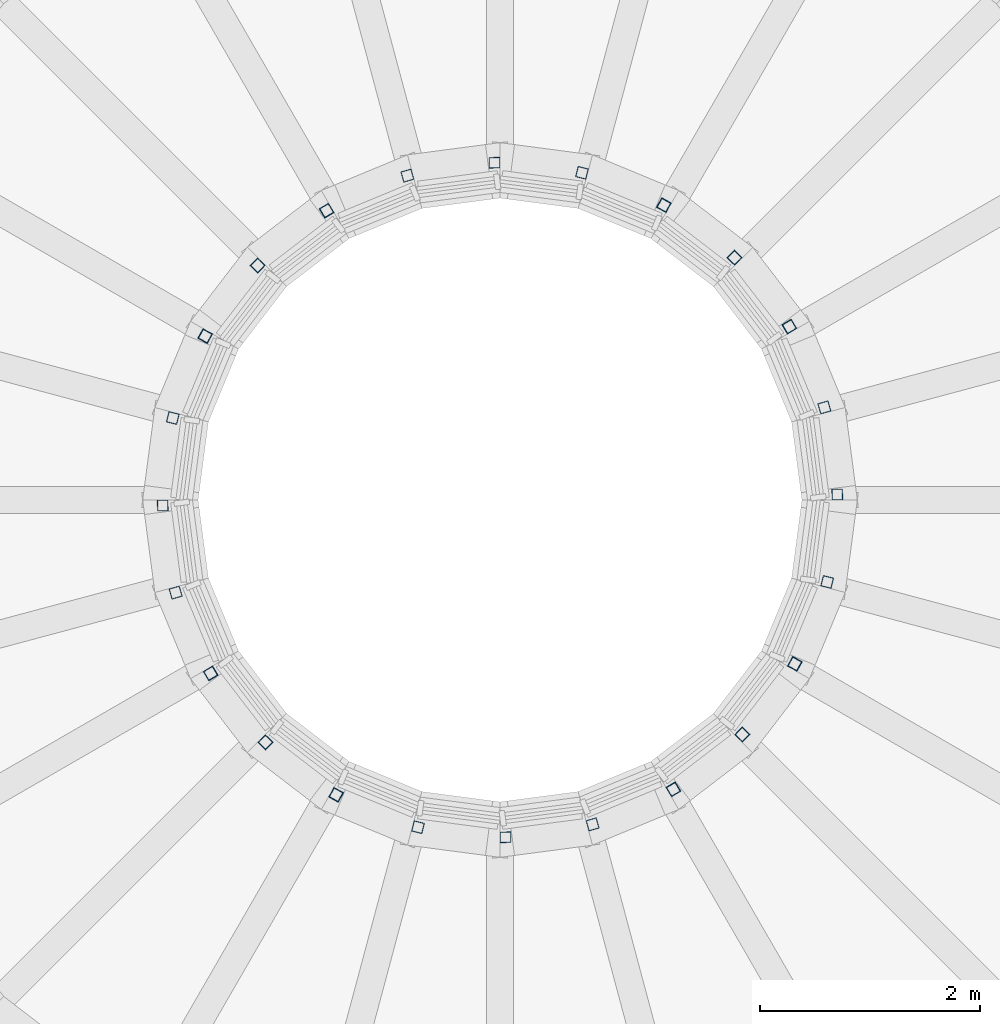
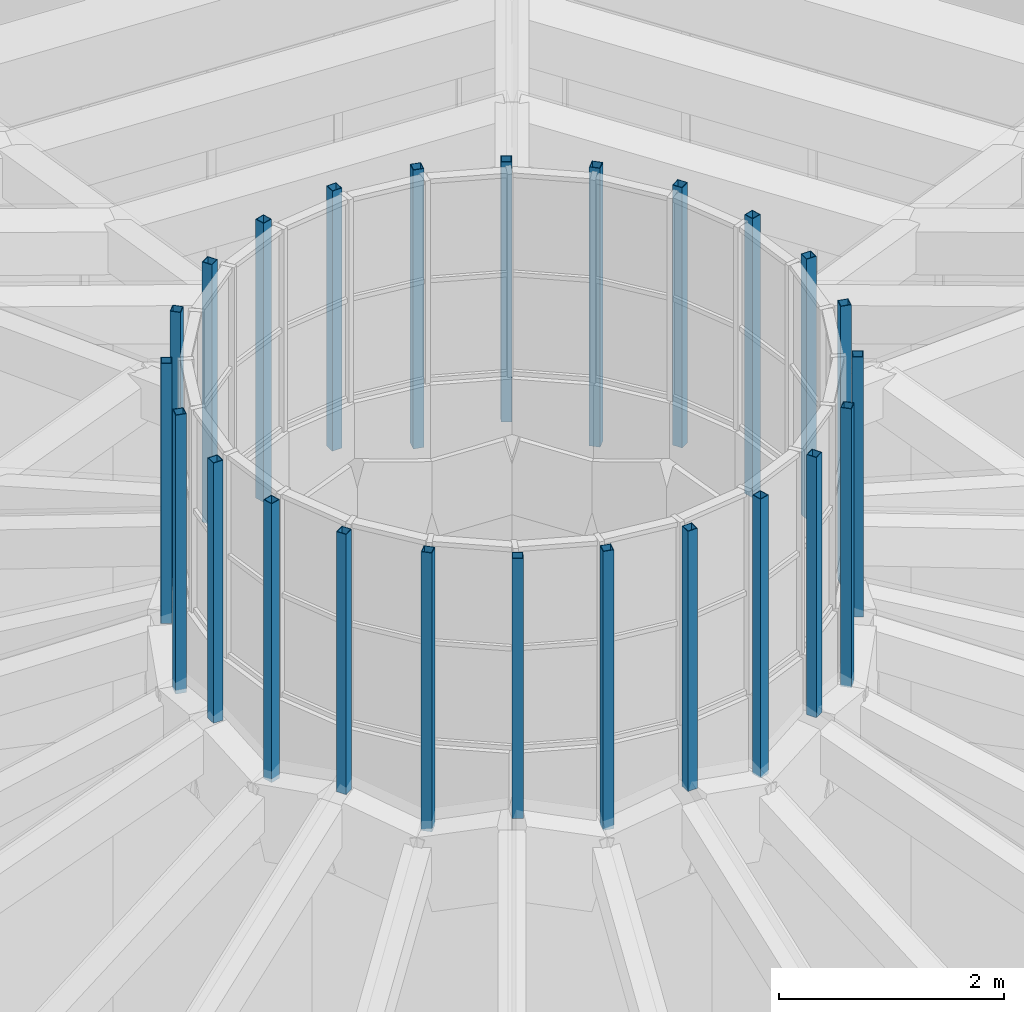
# One storey, part 2 of 82: 24 columns.
"""IFC4 building model written with IfcOpenShell, lengths in metres."""

import ifcopenshell
import ifcopenshell.guid

model = None  # the IFC model being written
_history = None  # IfcOwnerHistory: only IFC2X3 demands one
_inside = {}  # id of a spatial element -> (the spatial element, [elements in it])
_under = {}  # id of a project, library or spatial element -> (it, [spatial elements below it])
_declared = {}  # id of a project -> (the project, [libraries it declares])
_typed = {}  # id of a type object -> (the type object, [elements of that type])
_made_of = {}  # id of a material, layer set ... -> (it, [elements and type objects made of it])


def new_model(schema):
    """Start an empty IFC model of exactly this schema.

    Asked for "IFC4X3", IfcOpenShell would pick the latest addendum, in which some entities
    have other attributes; the version numbers below select the first issue.
    IFC2X3 requires an IfcOwnerHistory on every rooted entity: one is made here for all.
    """
    global model, _history
    if schema == "IFC4X3":
        model = ifcopenshell.file(schema_version=(4, 3, 0, 0))
    else:
        model = ifcopenshell.file(schema=schema)
    _inside.clear()
    _under.clear()
    _declared.clear()
    _typed.clear()
    _made_of.clear()
    _history = None
    if model.schema == "IFC2X3":
        org = make("IfcOrganization", Name="unknown")
        user = make(
            "IfcPersonAndOrganization",
            ThePerson=make("IfcPerson", FamilyName="unknown"),
            TheOrganization=org,
        )
        app = make(
            "IfcApplication",
            ApplicationDeveloper=org,
            Version="unknown",
            ApplicationFullName="unknown",
            ApplicationIdentifier="unknown",
        )
        _history = make(
            "IfcOwnerHistory",
            OwningUser=user,
            OwningApplication=app,
            ChangeAction="ADDED",
            CreationDate=0,
        )
    return model


def make(cls, **values):
    """One entity of the class cls with the attributes given. An attribute that is None is left unset."""
    return model.create_entity(
        cls, **{name: value for name, value in values.items() if value is not None}
    )


def rooted(cls, **values):
    """An entity with a GlobalId (a new one), such as an element, a storey or a relation."""
    return make(cls, GlobalId=ifcopenshell.guid.new(), OwnerHistory=_history, **values)


def si_unit(unit_type, name, prefix=None):
    """IfcSIUnit, for example si_unit("LENGTHUNIT", "METRE", prefix="MILLI")."""
    return make("IfcSIUnit", UnitType=unit_type, Prefix=prefix, Name=name)


def assignment(units):
    """IfcUnitAssignment: the units of a project."""
    return None if units is None else make("IfcUnitAssignment", Units=units)


def point(xyz):
    """IfcCartesianPoint."""
    return None if xyz is None else make("IfcCartesianPoint", Coordinates=xyz)


def direction(xyz):
    """IfcDirection."""
    return None if xyz is None else make("IfcDirection", DirectionRatios=xyz)


def frame(location, z_axis=None, x_axis=None):
    """IfcAxis2Placement3D, a coordinate frame: its origin and axes. An axis left out is left unset."""
    return make(
        "IfcAxis2Placement3D",
        Location=point(location),
        Axis=direction(z_axis),
        RefDirection=direction(x_axis),
    )


def frame_2d(location, x_axis=None):
    """IfcAxis2Placement2D, a coordinate frame in the plane: its origin and x axis."""
    return make(
        "IfcAxis2Placement2D", Location=point(location), RefDirection=direction(x_axis)
    )


def origin():
    """The frame at (0, 0, 0) with its axes left unset."""
    return frame((0.0, 0.0, 0.0))


def origin_2d():
    """The frame at (0, 0) in the plane with its x axis left unset."""
    return frame_2d((0.0, 0.0))


def place(relative_to, where):
    """IfcLocalPlacement: puts the frame where relative to a parent placement (None: the world)."""
    return make(
        "IfcLocalPlacement", PlacementRelTo=relative_to, RelativePlacement=where
    )


def context(
    kind, dimensions, precision=None, world=None, true_north=None, identifier=None
):
    """IfcGeometricRepresentationContext, for example the 3D "Model" context."""
    return make(
        "IfcGeometricRepresentationContext",
        ContextIdentifier=identifier,
        ContextType=kind,
        CoordinateSpaceDimension=dimensions,
        Precision=precision,
        WorldCoordinateSystem=world,
        TrueNorth=true_north,
    )


def subcontext(parent, identifier, kind, view, scale=None):
    """IfcGeometricRepresentationSubContext, for example "Body" below "Model"."""
    return make(
        "IfcGeometricRepresentationSubContext",
        ContextIdentifier=identifier,
        ContextType=kind,
        ParentContext=parent,
        TargetScale=scale,
        TargetView=view,
    )


def project(units=None, contexts=None):
    """IfcProject with its units and contexts."""
    return rooted(
        "IfcProject",
        Name="project",
        RepresentationContexts=contexts,
        UnitsInContext=assignment(units),
    )


def spatial(cls, under=None, at=None, **own):
    """A site, building, storey or space (cls), placed at a placement, below another one or the project."""
    s = rooted(cls, ObjectPlacement=at, **own)
    if under is not None:
        _under.setdefault(under.id(), (under, []))[1].append(s)
    return s


def profile(cls, at=None, kind="AREA", **sizes):
    """A parametric profile (cls). Its sizes go by their IFC names, for example OverallWidth=200.0."""
    return make(cls, ProfileType=kind, Position=at, **sizes)


def hollow_rectangle(**sizes):
    """IfcRectangleHollowProfileDef."""
    return profile("IfcRectangleHollowProfileDef", **sizes)


def extrude(swept, where, along, depth):
    """IfcExtrudedAreaSolid: the profile swept, set in the frame where, extruded along a direction by depth."""
    return make(
        "IfcExtrudedAreaSolid",
        SweptArea=swept,
        Position=where,
        ExtrudedDirection=direction(along),
        Depth=depth,
    )


def shape(context_of_items, identifier, shape_type, items):
    """IfcShapeRepresentation: the items that make up one representation, for example the "Body"."""
    return make(
        "IfcShapeRepresentation",
        ContextOfItems=context_of_items,
        RepresentationIdentifier=identifier,
        RepresentationType=shape_type,
        Items=items,
    )


def material(Name=None, Category=None):
    """IfcMaterial."""
    return make("IfcMaterial", Name=Name, Category=Category)


def material_profile(
    of_material, cross_section, Name=None, Category=None, Priority=None
):
    """IfcMaterialProfile: a cross section and its material."""
    return make(
        "IfcMaterialProfile",
        Name=Name,
        Material=of_material,
        Profile=cross_section,
        Priority=Priority,
        Category=Category,
    )


def profile_set(profiles, Name=None, composite=None):
    """IfcMaterialProfileSet."""
    return make(
        "IfcMaterialProfileSet",
        Name=Name,
        MaterialProfiles=profiles,
        CompositeProfile=composite,
    )


def made_of(thing, what):
    """Note that an element or type object is made of a material, layer set ...; save() writes the relation."""
    if what is not None:
        _made_of.setdefault(what.id(), (what, []))[1].append(thing)
    return thing


def type_object(cls, material=None, **own):
    """A type object (cls), such as IfcWallType, which elements share."""
    return made_of(rooted(cls, **own), material)


def element(
    cls,
    number,
    at=None,
    inside=None,
    cuts=None,
    type_object=None,
    material=None,
    context=None,
    identifier="Body",
    shape_type=None,
    held_by="IfcProductDefinitionShape",
    body=None,
    shapes=None,
    **own,
):
    """One element of the class cls, such as IfcWall. Its Tag is "e" and its number.

    at: its placement. inside: the storey or other place that contains it. cuts: it is an
    opening in that element (IfcRelVoidsElement). A single representation is given by context,
    identifier, shape_type and body (its items); several are given by shapes. held_by: the class
    of the entity that holds the representations. save() writes the other relations.
    """
    e = rooted(cls, Tag="e%d" % number, ObjectPlacement=at, **own)
    if body is not None:
        shapes = [shape(context, identifier, shape_type, body)]
    if shapes is not None:
        e.Representation = make(held_by, Representations=shapes)
    if inside is not None:
        _inside.setdefault(inside.id(), (inside, []))[1].append(e)
    if cuts is not None:
        rooted(
            "IfcRelVoidsElement", RelatingBuildingElement=cuts, RelatedOpeningElement=e
        )
    if type_object is not None:
        _typed.setdefault(type_object.id(), (type_object, []))[1].append(e)
    return made_of(e, material)


def aggregate(whole, parts):
    """IfcRelAggregates: a whole, such as a stair, and the parts it consists of."""
    return rooted("IfcRelAggregates", RelatingObject=whole, RelatedObjects=parts)


def save(model, path):
    """Write the relations noted so far, then the file.

    IfcRelAggregates (storeys below a building ...), IfcRelContainedInSpatialStructure (elements
    in a storey), IfcRelDefinesByType, IfcRelAssociatesMaterial and IfcRelDeclares: one each for
    every whole, place, type object, material and project.
    """
    for whole, parts in _under.values():
        aggregate(whole, parts)
    for where, things in _inside.values():
        rooted(
            "IfcRelContainedInSpatialStructure",
            RelatedElements=things,
            RelatingStructure=where,
        )
    for kind, things in _typed.values():
        rooted("IfcRelDefinesByType", RelatedObjects=things, RelatingType=kind)
    for what, things in _made_of.values():
        rooted("IfcRelAssociatesMaterial", RelatedObjects=things, RelatingMaterial=what)
    for by, libraries in _declared.values():
        rooted("IfcRelDeclares", RelatingContext=by, RelatedDefinitions=libraries)
    model.write(path)


model = new_model("IFC4")

# Units and contexts
model_context = context("Model", 3, precision=1e-05, world=origin(), true_north=direction((0.0, 1.0)))
body_context = subcontext(model_context, "Body", "Model", "MODEL_VIEW")
ifc_project = project(units=[si_unit("LENGTHUNIT", "METRE"), si_unit("AREAUNIT", "SQUARE_METRE"), si_unit("VOLUMEUNIT", "CUBIC_METRE"), si_unit("PLANEANGLEUNIT", "RADIAN"), si_unit("MASSUNIT", "GRAM", prefix="KILO")], contexts=[model_context])

# Site, building, storey
site_placement = place(None, origin())
site = spatial("IfcSite", under=ifc_project, at=site_placement, CompositionType="ELEMENT")
building_placement = place(site_placement, origin())
building = spatial("IfcBuilding", under=site, at=building_placement, Name="Volute Hill Aquarium", CompositionType="ELEMENT")
storey_placement = place(building_placement, frame((0.0, 0.0, 13.800048828125)))
storey = spatial("IfcBuildingStorey", under=building, at=storey_placement, Name="L04", CompositionType="ELEMENT", Elevation=13.800048828125)

# Columns
ifc_material = material(Name="Steel S355", Category="steel")
ifc_material_profile = material_profile(ifc_material, hollow_rectangle(XDim=0.10009765625, YDim=0.10009765625, WallThickness=0.006103515625, at=origin_2d()), Name="SHS 100x100x6")
ifc_profile_set = profile_set([ifc_material_profile], Name="Steel S355")
column_type = type_object("IfcColumnType", Name="Lantern post SHS 100x100x6 S355", PredefinedType="COLUMN", material=ifc_profile_set)
column_1_placement = place(storey_placement, frame((3.069580078125, 0.050048828125, 24.546630859375), z_axis=(0.0, 0.0, 1.0), x_axis=(0.99986737553, 0.01628592494, 0.0)))
element("IfcColumn", 1, at=column_1_placement, inside=storey, type_object=column_type, Name="Lantern post LP 1", PredefinedType="COLUMN", context=body_context, shape_type="SweptSolid", body=[
    extrude(hollow_rectangle(XDim=0.10009765625, YDim=0.10009765625, WallThickness=0.006103515625, at=origin_2d()), origin(), (0.0, 0.0, 1.0), 2.81982421875),
])
column_2_placement = place(storey_placement, frame((2.9521484375, 0.8427734375, 24.34375), z_axis=(0.0, 0.0, 1.0), x_axis=(0.961582613347, 0.274515714868, 0.0)))
element("IfcColumn", 2, at=column_2_placement, inside=storey, type_object=column_type, Name="Lantern post LP 2", PredefinedType="COLUMN", context=body_context, shape_type="SweptSolid", body=[
    extrude(hollow_rectangle(XDim=0.10009765625, YDim=0.10009765625, WallThickness=0.006103515625, at=origin_2d()), origin(), (0.0, 0.0, 1.0), 3.022705078125),
])
column_3_placement = place(storey_placement, frame((2.63330078125, 1.578125, 24.546630859375), z_axis=(0.0, 0.0, 1.0), x_axis=(0.857767585154, 0.514037712487, 0.0)))
element("IfcColumn", 3, at=column_3_placement, inside=storey, type_object=column_type, Name="Lantern post LP 3", PredefinedType="COLUMN", context=body_context, shape_type="SweptSolid", body=[
    extrude(hollow_rectangle(XDim=0.10009765625, YDim=0.10009765625, WallThickness=0.006103515625, at=origin_2d()), origin(), (0.0, 0.0, 1.0), 2.81982421875),
])
column_4_placement = place(storey_placement, frame((2.13525390625, 2.205810546875, 24.34375), z_axis=(0.0, 0.0, 1.0), x_axis=(0.695497113561, 0.718528889487, 0.0)))
element("IfcColumn", 4, at=column_4_placement, inside=storey, type_object=column_type, Name="Lantern post LP 4", PredefinedType="COLUMN", context=body_context, shape_type="SweptSolid", body=[
    extrude(hollow_rectangle(XDim=0.10009765625, YDim=0.10009765625, WallThickness=0.006103515625, at=origin_2d()), origin(), (0.0, 0.0, 1.0), 3.022705078125),
])
column_5_placement = place(storey_placement, frame((1.491455078125, 2.683349609375, 24.546630859375), z_axis=(0.0, 0.0, 1.0), x_axis=(0.485829663043, 0.874053510094, 0.0)))
element("IfcColumn", 5, at=column_5_placement, inside=storey, type_object=column_type, Name="Lantern post LP 5", PredefinedType="COLUMN", context=body_context, shape_type="SweptSolid", body=[
    extrude(hollow_rectangle(XDim=0.10009765625, YDim=0.10009765625, WallThickness=0.006103515625, at=origin_2d()), origin(), (0.0, 0.0, 1.0), 2.81982421875),
])
column_6_placement = place(storey_placement, frame((0.74609375, 2.977783203125, 24.34375), z_axis=(0.0, 0.0, 1.0), x_axis=(0.243053723859, 0.97001282843, 0.0)))
element("IfcColumn", 6, at=column_6_placement, inside=storey, type_object=column_type, Name="Lantern post LP 6", PredefinedType="COLUMN", context=body_context, shape_type="SweptSolid", body=[
    extrude(hollow_rectangle(XDim=0.10009765625, YDim=0.10009765625, WallThickness=0.006103515625, at=origin_2d()), origin(), (0.0, 0.0, 1.0), 3.022705078125),
])
column_7_placement = place(storey_placement, frame((-0.050048828125, 3.069580078125, 24.546630859375), z_axis=(0.0, 0.0, 1.0), x_axis=(-0.01628592494, 0.99986737553, 0.0)))
element("IfcColumn", 7, at=column_7_placement, inside=storey, type_object=column_type, Name="Lantern post LP 7", PredefinedType="COLUMN", context=body_context, shape_type="SweptSolid", body=[
    extrude(hollow_rectangle(XDim=0.10009765625, YDim=0.10009765625, WallThickness=0.006103515625, at=origin_2d()), origin(), (0.0, 0.0, 1.0), 2.81982421875),
])
column_8_placement = place(storey_placement, frame((-0.8427734375, 2.9521484375, 24.34375), z_axis=(0.0, 0.0, 1.0), x_axis=(-0.274515714868, 0.961582613347, 0.0)))
element("IfcColumn", 8, at=column_8_placement, inside=storey, type_object=column_type, Name="Lantern post LP 8", PredefinedType="COLUMN", context=body_context, shape_type="SweptSolid", body=[
    extrude(hollow_rectangle(XDim=0.10009765625, YDim=0.10009765625, WallThickness=0.006103515625, at=origin_2d()), origin(), (0.0, 0.0, 1.0), 3.022705078125),
])
column_9_placement = place(storey_placement, frame((-1.578125, 2.63330078125, 24.546630859375), z_axis=(0.0, 0.0, 1.0), x_axis=(-0.514037712487, 0.857767585154, 0.0)))
element("IfcColumn", 9, at=column_9_placement, inside=storey, type_object=column_type, Name="Lantern post LP 9", PredefinedType="COLUMN", context=body_context, shape_type="SweptSolid", body=[
    extrude(hollow_rectangle(XDim=0.10009765625, YDim=0.10009765625, WallThickness=0.006103515625, at=origin_2d()), origin(), (0.0, 0.0, 1.0), 2.81982421875),
])
column_10_placement = place(storey_placement, frame((-2.205810546875, 2.13525390625, 24.34375), z_axis=(0.0, 0.0, 1.0), x_axis=(-0.718528889487, 0.695497113561, 0.0)))
element("IfcColumn", 10, at=column_10_placement, inside=storey, type_object=column_type, Name="Lantern post LP 10", PredefinedType="COLUMN", context=body_context, shape_type="SweptSolid", body=[
    extrude(hollow_rectangle(XDim=0.10009765625, YDim=0.10009765625, WallThickness=0.006103515625, at=origin_2d()), origin(), (0.0, 0.0, 1.0), 3.022705078125),
])
column_11_placement = place(storey_placement, frame((-2.683349609375, 1.491455078125, 24.546630859375), z_axis=(0.0, 0.0, 1.0), x_axis=(-0.874053510094, 0.485829663043, 0.0)))
element("IfcColumn", 11, at=column_11_placement, inside=storey, type_object=column_type, Name="Lantern post LP 11", PredefinedType="COLUMN", context=body_context, shape_type="SweptSolid", body=[
    extrude(hollow_rectangle(XDim=0.10009765625, YDim=0.10009765625, WallThickness=0.006103515625, at=origin_2d()), origin(), (0.0, 0.0, 1.0), 2.81982421875),
])
column_12_placement = place(storey_placement, frame((-2.977783203125, 0.74609375, 24.34375), z_axis=(0.0, 0.0, 1.0), x_axis=(-0.97001282843, 0.243053723859, 0.0)))
element("IfcColumn", 12, at=column_12_placement, inside=storey, type_object=column_type, Name="Lantern post LP 12", PredefinedType="COLUMN", context=body_context, shape_type="SweptSolid", body=[
    extrude(hollow_rectangle(XDim=0.10009765625, YDim=0.10009765625, WallThickness=0.006103515625, at=origin_2d()), origin(), (0.0, 0.0, 1.0), 3.022705078125),
])
column_13_placement = place(storey_placement, frame((-3.069580078125, -0.050048828125, 24.546630859375), z_axis=(0.0, 0.0, 1.0), x_axis=(-0.99986737553, -0.01628592494, 0.0)))
element("IfcColumn", 13, at=column_13_placement, inside=storey, type_object=column_type, Name="Lantern post LP 13", PredefinedType="COLUMN", context=body_context, shape_type="SweptSolid", body=[
    extrude(hollow_rectangle(XDim=0.10009765625, YDim=0.10009765625, WallThickness=0.006103515625, at=origin_2d()), origin(), (0.0, 0.0, 1.0), 2.81982421875),
])
column_14_placement = place(storey_placement, frame((-2.9521484375, -0.8427734375, 24.34375), z_axis=(0.0, 0.0, 1.0), x_axis=(-0.961582613347, -0.274515714868, 0.0)))
element("IfcColumn", 14, at=column_14_placement, inside=storey, type_object=column_type, Name="Lantern post LP 14", PredefinedType="COLUMN", context=body_context, shape_type="SweptSolid", body=[
    extrude(hollow_rectangle(XDim=0.10009765625, YDim=0.10009765625, WallThickness=0.006103515625, at=origin_2d()), origin(), (0.0, 0.0, 1.0), 3.022705078125),
])
column_15_placement = place(storey_placement, frame((-2.63330078125, -1.578125, 24.546630859375), z_axis=(0.0, 0.0, 1.0), x_axis=(-0.857767585154, -0.514037712487, 0.0)))
element("IfcColumn", 15, at=column_15_placement, inside=storey, type_object=column_type, Name="Lantern post LP 15", PredefinedType="COLUMN", context=body_context, shape_type="SweptSolid", body=[
    extrude(hollow_rectangle(XDim=0.10009765625, YDim=0.10009765625, WallThickness=0.006103515625, at=origin_2d()), origin(), (0.0, 0.0, 1.0), 2.81982421875),
])
column_16_placement = place(storey_placement, frame((-2.13525390625, -2.205810546875, 24.34375), z_axis=(0.0, 0.0, 1.0), x_axis=(-0.695497113561, -0.718528889487, 0.0)))
element("IfcColumn", 16, at=column_16_placement, inside=storey, type_object=column_type, Name="Lantern post LP 16", PredefinedType="COLUMN", context=body_context, shape_type="SweptSolid", body=[
    extrude(hollow_rectangle(XDim=0.10009765625, YDim=0.10009765625, WallThickness=0.006103515625, at=origin_2d()), origin(), (0.0, 0.0, 1.0), 3.022705078125),
])
column_17_placement = place(storey_placement, frame((-1.491455078125, -2.683349609375, 24.546630859375), z_axis=(0.0, 0.0, 1.0), x_axis=(-0.485829663043, -0.874053510094, 0.0)))
element("IfcColumn", 17, at=column_17_placement, inside=storey, type_object=column_type, Name="Lantern post LP 17", PredefinedType="COLUMN", context=body_context, shape_type="SweptSolid", body=[
    extrude(hollow_rectangle(XDim=0.10009765625, YDim=0.10009765625, WallThickness=0.006103515625, at=origin_2d()), origin(), (0.0, 0.0, 1.0), 2.81982421875),
])
column_18_placement = place(storey_placement, frame((-0.74609375, -2.977783203125, 24.34375), z_axis=(0.0, 0.0, 1.0), x_axis=(-0.243053723859, -0.97001282843, 0.0)))
element("IfcColumn", 18, at=column_18_placement, inside=storey, type_object=column_type, Name="Lantern post LP 18", PredefinedType="COLUMN", context=body_context, shape_type="SweptSolid", body=[
    extrude(hollow_rectangle(XDim=0.10009765625, YDim=0.10009765625, WallThickness=0.006103515625, at=origin_2d()), origin(), (0.0, 0.0, 1.0), 3.022705078125),
])
column_19_placement = place(storey_placement, frame((0.050048828125, -3.069580078125, 24.546630859375), z_axis=(0.0, 0.0, 1.0), x_axis=(0.01628592494, -0.99986737553, 0.0)))
element("IfcColumn", 19, at=column_19_placement, inside=storey, type_object=column_type, Name="Lantern post LP 19", PredefinedType="COLUMN", context=body_context, shape_type="SweptSolid", body=[
    extrude(hollow_rectangle(XDim=0.10009765625, YDim=0.10009765625, WallThickness=0.006103515625, at=origin_2d()), origin(), (0.0, 0.0, 1.0), 2.81982421875),
])
column_20_placement = place(storey_placement, frame((0.8427734375, -2.9521484375, 24.34375), z_axis=(0.0, 0.0, 1.0), x_axis=(0.274515714868, -0.961582613347, 0.0)))
element("IfcColumn", 20, at=column_20_placement, inside=storey, type_object=column_type, Name="Lantern post LP 20", PredefinedType="COLUMN", context=body_context, shape_type="SweptSolid", body=[
    extrude(hollow_rectangle(XDim=0.10009765625, YDim=0.10009765625, WallThickness=0.006103515625, at=origin_2d()), origin(), (0.0, 0.0, 1.0), 3.022705078125),
])
column_21_placement = place(storey_placement, frame((1.578125, -2.63330078125, 24.546630859375), z_axis=(0.0, 0.0, 1.0), x_axis=(0.514037712487, -0.857767585154, 0.0)))
element("IfcColumn", 21, at=column_21_placement, inside=storey, type_object=column_type, Name="Lantern post LP 21", PredefinedType="COLUMN", context=body_context, shape_type="SweptSolid", body=[
    extrude(hollow_rectangle(XDim=0.10009765625, YDim=0.10009765625, WallThickness=0.006103515625, at=origin_2d()), origin(), (0.0, 0.0, 1.0), 2.81982421875),
])
column_22_placement = place(storey_placement, frame((2.205810546875, -2.13525390625, 24.34375), z_axis=(0.0, 0.0, 1.0), x_axis=(0.718528889487, -0.695497113561, 0.0)))
element("IfcColumn", 22, at=column_22_placement, inside=storey, type_object=column_type, Name="Lantern post LP 22", PredefinedType="COLUMN", context=body_context, shape_type="SweptSolid", body=[
    extrude(hollow_rectangle(XDim=0.10009765625, YDim=0.10009765625, WallThickness=0.006103515625, at=origin_2d()), origin(), (0.0, 0.0, 1.0), 3.022705078125),
])
column_23_placement = place(storey_placement, frame((2.683349609375, -1.491455078125, 24.546630859375), z_axis=(0.0, 0.0, 1.0), x_axis=(0.874053510094, -0.485829663043, 0.0)))
element("IfcColumn", 23, at=column_23_placement, inside=storey, type_object=column_type, Name="Lantern post LP 23", PredefinedType="COLUMN", context=body_context, shape_type="SweptSolid", body=[
    extrude(hollow_rectangle(XDim=0.10009765625, YDim=0.10009765625, WallThickness=0.006103515625, at=origin_2d()), origin(), (0.0, 0.0, 1.0), 2.81982421875),
])
column_24_placement = place(storey_placement, frame((2.977783203125, -0.74609375, 24.34375), z_axis=(0.0, 0.0, 1.0), x_axis=(0.97001282843, -0.243053723859, 0.0)))
element("IfcColumn", 24, at=column_24_placement, inside=storey, type_object=column_type, Name="Lantern post LP 24", PredefinedType="COLUMN", context=body_context, shape_type="SweptSolid", body=[
    extrude(hollow_rectangle(XDim=0.10009765625, YDim=0.10009765625, WallThickness=0.006103515625, at=origin_2d()), origin(), (0.0, 0.0, 1.0), 3.022705078125),
])

save(model, "model.ifc")
